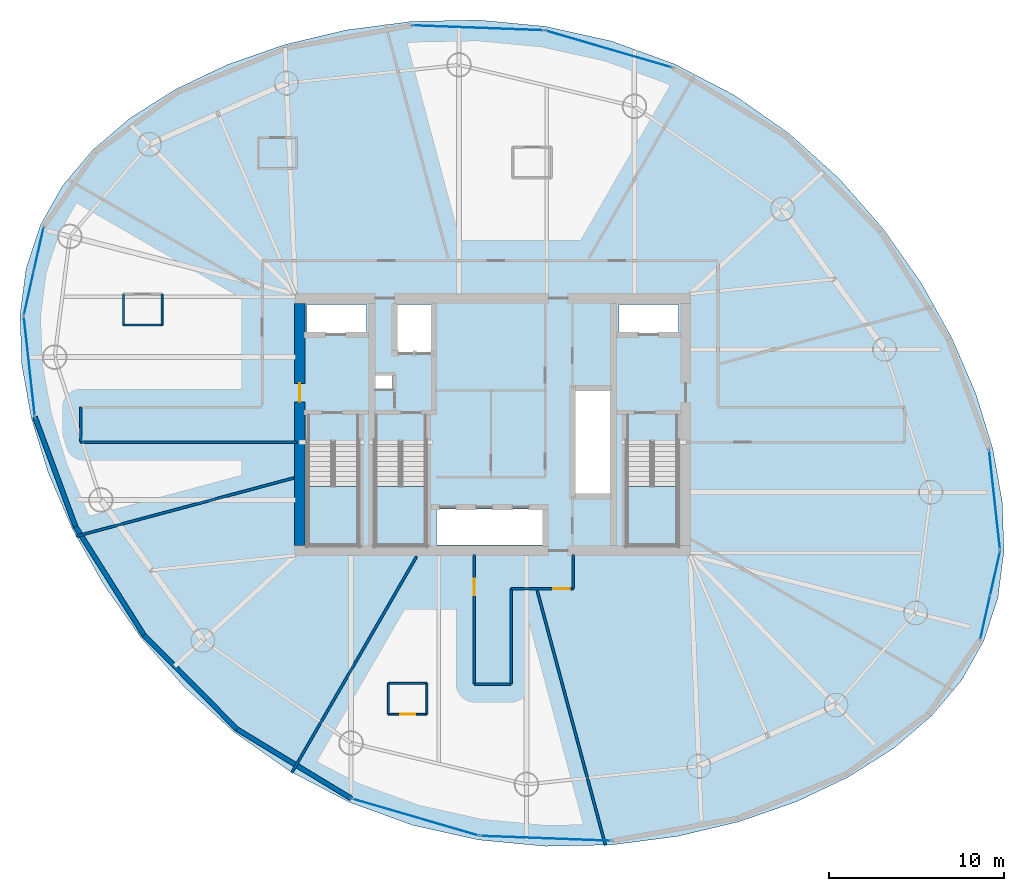
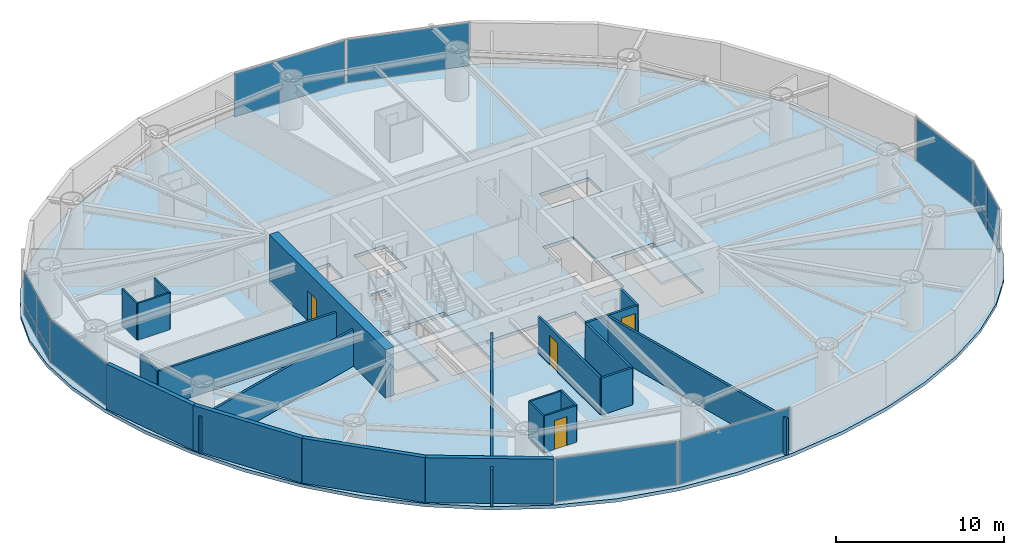
# One storey, part 16 of 22: 22 walls, 14 plates, 4 doors, 4 slabs, 4 openings, 11 elements without a shape of their own.
"""IFC4 building model written with IfcOpenShell, lengths in metres."""

from ifc_helpers import new_model, si_unit, direction, frame, frame_2d, origin, origin_2d, place, context, subcontext, project, spatial, polyline, rectangle, outline, extrude, material, layer, layer_set, type_object, element, fill, aggregate, save


model = new_model("IFC4")

# Units and contexts
model_context = context("Model", 3, precision=1e-05, world=origin(), true_north=direction((0.0, 1.0)))
body_context = subcontext(model_context, "Body", "Model", "MODEL_VIEW")
ifc_project = project(units=[si_unit("LENGTHUNIT", "METRE"), si_unit("AREAUNIT", "SQUARE_METRE"), si_unit("VOLUMEUNIT", "CUBIC_METRE"), si_unit("PLANEANGLEUNIT", "RADIAN"), si_unit("MASSUNIT", "GRAM", prefix="KILO")], contexts=[model_context])

# Site, building, storey
site_placement = place(None, origin())
site = spatial("IfcSite", under=ifc_project, at=site_placement, CompositionType="ELEMENT")
building_placement = place(site_placement, origin())
building = spatial("IfcBuilding", under=site, at=building_placement, Name="Bramvorn Convention Spire", CompositionType="ELEMENT")
storey_placement = place(building_placement, frame((0.0, 0.0, 127.300048828125)))
storey = spatial("IfcBuildingStorey", under=building, at=storey_placement, Name="L31", CompositionType="ELEMENT", Elevation=127.300048828125)

# Curtain wall, plates
ifc_material_1 = material(Name="Anodised Bronze Unitised Curtain Wall", Category="aluminium")
ifc_layer_1 = layer(ifc_material_1, 0.179931640625)
ifc_layer_set_1 = layer_set([ifc_layer_1], Name="Anodised Bronze Unitised Curtain Wall - CW-HTL-FRIT")
curtain_wall_type = type_object("IfcCurtainWallType", Name="CW-HTL-FRIT", PredefinedType="USERDEFINED", material=ifc_layer_set_1)
curtain_wall_1_placement = place(storey_placement, origin())
curtain_wall_1 = element("IfcCurtainWall", 1, at=curtain_wall_1_placement, inside=storey, type_object=curtain_wall_type, Name="L31 fritted glass curtain wall 01", ObjectType="UNITISED CURTAIN WALL", PredefinedType="USERDEFINED")
ifc_material_2 = material(Name="Laminated Low-E Glass (Triple IGU Tapered Ceramic Frit 40%)", Category="glass")
ifc_layer_2 = layer(ifc_material_2, 0.0380859375)
ifc_layer_set_2 = layer_set([ifc_layer_2], Name="Laminated Low-E Glass (Triple IGU Tapered Ceramic Frit 40%) - PNL-IGU-2")
plate_type = type_object("IfcPlateType", Name="PNL-IGU-2", PredefinedType="CURTAIN_PANEL", material=ifc_layer_set_2)
plate_1_placement = place(storey_placement, frame((66.6552734375, 17.5361328125, 0.059814453125), z_axis=(0.0, 0.0, 1.0), x_axis=(-0.219352615765, -0.975645647742, 0.0)))
plate_1 = element("IfcPlate", 2, at=plate_1_placement, type_object=plate_type, Name="CW2 panel 1.1", PredefinedType="CURTAIN_PANEL", context=body_context, shape_type="SweptSolid", body=[
    extrude(rectangle(XDim=2.4970703125, YDim=0.028076171875, at=origin_2d()), origin(), (0.0, 0.0, 1.0), 0.81005859375),
])
plate_2_placement = place(storey_placement, frame((66.6552734375, 17.5361328125, 0.929931640625), z_axis=(0.0, 0.0, 1.0), x_axis=(-0.219352615765, -0.975645647742, 0.0)))
plate_2 = element("IfcPlate", 3, at=plate_2_placement, type_object=plate_type, Name="CW2 panel 1.2", PredefinedType="CURTAIN_PANEL", context=body_context, shape_type="SweptSolid", body=[
    extrude(rectangle(XDim=2.4970703125, YDim=0.028076171875, at=origin_2d()), origin(), (0.0, 0.0, 1.0), 2.27001953125),
])
plate_3_placement = place(storey_placement, frame((66.09423828125, 15.041259765625, 0.059814453125), z_axis=(0.0, 0.0, 1.0), x_axis=(-0.219352615765, -0.975645647742, 0.0)))
plate_3 = element("IfcPlate", 4, at=plate_3_placement, type_object=plate_type, Name="CW2 panel 2.1", PredefinedType="CURTAIN_PANEL", context=body_context, shape_type="SweptSolid", body=[
    extrude(rectangle(XDim=2.4970703125, YDim=0.028076171875, at=origin_2d()), origin(), (0.0, 0.0, 1.0), 0.81005859375),
])
plate_4_placement = place(storey_placement, frame((66.09423828125, 15.041259765625, 0.929931640625), z_axis=(0.0, 0.0, 1.0), x_axis=(-0.219352615765, -0.975645647742, 0.0)))
plate_4 = element("IfcPlate", 5, at=plate_4_placement, type_object=plate_type, Name="CW2 panel 2.2", PredefinedType="CURTAIN_PANEL", context=body_context, shape_type="SweptSolid", body=[
    extrude(rectangle(XDim=2.4970703125, YDim=0.028076171875, at=origin_2d()), origin(), (0.0, 0.0, 1.0), 2.27001953125),
])
aggregate(curtain_wall_1, [plate_1, plate_2, plate_3, plate_4])

# Curtain wall, plate
curtain_wall_2_placement = place(storey_placement, origin())
curtain_wall_2 = element("IfcCurtainWall", 6, at=curtain_wall_2_placement, inside=storey, type_object=curtain_wall_type, Name="L31 fritted glass curtain wall 02", ObjectType="UNITISED CURTAIN WALL", PredefinedType="USERDEFINED")
plate_5_placement = place(storey_placement, frame((66.623046875, 21.706787109375, 0.06005859375), z_axis=(0.0, 0.0, 1.0), x_axis=(0.109605868782, -0.993975127218, 0.0)))
plate_5 = element("IfcPlate", 7, at=plate_5_placement, type_object=plate_type, Name="CW2 panel 1.1", PredefinedType="CURTAIN_PANEL", context=body_context, shape_type="SweptSolid", body=[
    extrude(rectangle(XDim=5.70263671875, YDim=0.028076171875, at=origin_2d()), origin(), (0.0, 0.0, 1.0), 3.139892578125),
])
aggregate(curtain_wall_2, [plate_5])

curtain_wall_3_placement = place(storey_placement, origin())
curtain_wall_3 = element("IfcCurtainWall", 8, at=curtain_wall_3_placement, inside=storey, type_object=curtain_wall_type, Name="L31 fritted glass curtain wall 07", ObjectType="UNITISED CURTAIN WALL", PredefinedType="USERDEFINED")
plate_6_placement = place(storey_placement, frame((44.61083984375, 47.4208984375, 0.06005859375), z_axis=(0.0, 0.0, 1.0), x_axis=(0.960041892871, -0.279856327304, 0.0)))
plate_6 = element("IfcPlate", 9, at=plate_6_placement, type_object=plate_type, Name="CW2 panel 1.1", PredefinedType="CURTAIN_PANEL", context=body_context, shape_type="SweptSolid", body=[
    extrude(rectangle(XDim=7.49755859375, YDim=0.028076171875, at=origin_2d()), origin(), (0.0, 0.0, 1.0), 3.139892578125),
])
aggregate(curtain_wall_3, [plate_6])

curtain_wall_4_placement = place(storey_placement, origin())
curtain_wall_4 = element("IfcCurtainWall", 10, at=curtain_wall_4_placement, inside=storey, type_object=curtain_wall_type, Name="L31 fritted glass curtain wall 08", ObjectType="UNITISED CURTAIN WALL", PredefinedType="USERDEFINED")
plate_7_placement = place(storey_placement, frame((37.17236328125, 48.62890625, 0.06005859375), z_axis=(0.0, 0.0, 1.0), x_axis=(0.999295864508, -0.037520330185, 0.0)))
plate_7 = element("IfcPlate", 11, at=plate_7_placement, type_object=plate_type, Name="CW2 panel 1.1", PredefinedType="CURTAIN_PANEL", context=body_context, shape_type="SweptSolid", body=[
    extrude(rectangle(XDim=7.44921875, YDim=0.028076171875, at=origin_2d()), origin(), (0.0, 0.0, 1.0), 3.139892578125),
])
aggregate(curtain_wall_4, [plate_7])

# Curtain wall, plates
curtain_wall_5_placement = place(storey_placement, origin())
curtain_wall_5 = element("IfcCurtainWall", 12, at=curtain_wall_5_placement, inside=storey, type_object=curtain_wall_type, Name="L31 fritted glass curtain wall 13", ObjectType="UNITISED CURTAIN WALL", PredefinedType="USERDEFINED")
plate_8_placement = place(storey_placement, frame((11.541748046875, 33.497314453125, 0.059814453125), z_axis=(0.0, 0.0, 1.0), x_axis=(0.219348479828, 0.975646577607, 0.0)))
plate_8 = element("IfcPlate", 13, at=plate_8_placement, type_object=plate_type, Name="CW2 panel 1.1", PredefinedType="CURTAIN_PANEL", context=body_context, shape_type="SweptSolid", body=[
    extrude(rectangle(XDim=2.497314453125, YDim=0.028076171875, at=origin_2d()), origin(), (0.0, 0.0, 1.0), 0.81005859375),
])
plate_9_placement = place(storey_placement, frame((11.541748046875, 33.497314453125, 0.929931640625), z_axis=(0.0, 0.0, 1.0), x_axis=(0.219348479828, 0.975646577607, 0.0)))
plate_9 = element("IfcPlate", 14, at=plate_9_placement, type_object=plate_type, Name="CW2 panel 1.2", PredefinedType="CURTAIN_PANEL", context=body_context, shape_type="SweptSolid", body=[
    extrude(rectangle(XDim=2.497314453125, YDim=0.028076171875, at=origin_2d()), origin(), (0.0, 0.0, 1.0), 2.27001953125),
])
plate_10_placement = place(storey_placement, frame((12.1025390625, 35.9921875, 0.059814453125), z_axis=(0.0, 0.0, 1.0), x_axis=(0.219348479828, 0.975646577607, 0.0)))
plate_10 = element("IfcPlate", 15, at=plate_10_placement, type_object=plate_type, Name="CW2 panel 2.1", PredefinedType="CURTAIN_PANEL", context=body_context, shape_type="SweptSolid", body=[
    extrude(rectangle(XDim=2.497314453125, YDim=0.028076171875, at=origin_2d()), origin(), (0.0, 0.0, 1.0), 0.81005859375),
])
plate_11_placement = place(storey_placement, frame((12.1025390625, 35.9921875, 0.929931640625), z_axis=(0.0, 0.0, 1.0), x_axis=(0.219348479828, 0.975646577607, 0.0)))
plate_11 = element("IfcPlate", 16, at=plate_11_placement, type_object=plate_type, Name="CW2 panel 2.2", PredefinedType="CURTAIN_PANEL", context=body_context, shape_type="SweptSolid", body=[
    extrude(rectangle(XDim=2.497314453125, YDim=0.028076171875, at=origin_2d()), origin(), (0.0, 0.0, 1.0), 2.27001953125),
])
aggregate(curtain_wall_5, [plate_8, plate_9, plate_10, plate_11])

# Curtain wall, plate
curtain_wall_6_placement = place(storey_placement, origin())
curtain_wall_6 = element("IfcCurtainWall", 17, at=curtain_wall_6_placement, inside=storey, type_object=curtain_wall_type, Name="L31 fritted glass curtain wall 14", ObjectType="UNITISED CURTAIN WALL", PredefinedType="USERDEFINED")
plate_12_placement = place(storey_placement, frame((11.57373046875, 29.32666015625, 0.06005859375), z_axis=(0.0, 0.0, 1.0), x_axis=(-0.109588900847, 0.99397699813, 0.0)))
plate_12 = element("IfcPlate", 18, at=plate_12_placement, type_object=plate_type, Name="CW2 panel 1.1", PredefinedType="CURTAIN_PANEL", context=body_context, shape_type="SweptSolid", body=[
    extrude(rectangle(XDim=5.70263671875, YDim=0.028076171875, at=origin_2d()), origin(), (0.0, 0.0, 1.0), 3.139892578125),
])
aggregate(curtain_wall_6, [plate_12])

curtain_wall_7_placement = place(storey_placement, origin())
curtain_wall_7 = element("IfcCurtainWall", 19, at=curtain_wall_7_placement, inside=storey, type_object=curtain_wall_type, Name="L31 fritted glass curtain wall 19", ObjectType="UNITISED CURTAIN WALL", PredefinedType="USERDEFINED")
plate_13_placement = place(storey_placement, frame((33.585693359375, 3.612548828125, 0.06005859375), z_axis=(0.0, 0.0, 1.0), x_axis=(-0.960037337476, 0.279871954029, 0.0)))
plate_13 = element("IfcPlate", 20, at=plate_13_placement, type_object=plate_type, Name="CW2 panel 1.1", PredefinedType="CURTAIN_PANEL", context=body_context, shape_type="SweptSolid", body=[
    extrude(rectangle(XDim=7.497314453125, YDim=0.028076171875, at=origin_2d()), origin(), (0.0, 0.0, 1.0), 3.139892578125),
])
aggregate(curtain_wall_7, [plate_13])

curtain_wall_8_placement = place(storey_placement, origin())
curtain_wall_8 = element("IfcCurtainWall", 21, at=curtain_wall_8_placement, inside=storey, type_object=curtain_wall_type, Name="L31 fritted glass curtain wall 20", ObjectType="UNITISED CURTAIN WALL", PredefinedType="USERDEFINED")
plate_14_placement = place(storey_placement, frame((41.024169921875, 2.404541015625, 0.06005859375), z_axis=(0.0, 0.0, 1.0), x_axis=(-0.999295864508, 0.037520330185, 0.0)))
plate_14 = element("IfcPlate", 22, at=plate_14_placement, type_object=plate_type, Name="CW2 panel 1.1", PredefinedType="CURTAIN_PANEL", context=body_context, shape_type="SweptSolid", body=[
    extrude(rectangle(XDim=7.44921875, YDim=0.028076171875, at=origin_2d()), origin(), (0.0, 0.0, 1.0), 3.139892578125),
])
aggregate(curtain_wall_8, [plate_14])

# Stair, slab
ifc_material_3 = material(Name="Concrete C40/50 Precast Stair", Category="concrete")
stair_type = type_object("IfcStairType", Name="ST-TOWER-1550", PredefinedType="HALF_TURN_STAIR", material=ifc_material_3)
stair_1_placement = place(storey_placement, origin())
stair_1 = element("IfcStair", 23, at=stair_1_placement, inside=storey, type_object=stair_type, Name="L31 Protected Exit Stair ST1", PredefinedType="HALF_TURN_STAIR")
ifc_material_4 = material(Name="Concrete C40/50 Stair Landing", Category="concrete")
ifc_layer_3 = layer(ifc_material_4, 0.219970703125)
ifc_layer_set_3 = layer_set([ifc_layer_3], Name="Concrete C40/50 Stair Landing - SLB-STAIR-LANDING")
slab_type_1 = type_object("IfcSlabType", Name="SLB-STAIR-LANDING", PredefinedType="LANDING", material=ifc_layer_set_3)
slab_1_placement = place(storey_placement, frame((0.0, 0.0, 1.550048828125)))
slab_1 = element("IfcSlab", 24, at=slab_1_placement, type_object=slab_type_1, Name="ST1 landing 1", PredefinedType="LANDING", context=body_context, shape_type="SweptSolid", body=[
    extrude(outline(polyline([(27.449951171875, 22.485107421875), (27.449951171875, 19.10009765625), (30.35009765625, 19.10009765625), (30.35009765625, 22.485107421875), (27.449951171875, 22.485107421875)])), origin(), (0.0, 0.0, 1.0), 0.199951171875),
])
aggregate(stair_1, [slab_1])

stair_2_placement = place(storey_placement, origin())
stair_2 = element("IfcStair", 25, at=stair_2_placement, inside=storey, type_object=stair_type, Name="L31 Protected Exit Stair ST2", PredefinedType="HALF_TURN_STAIR")
slab_2_placement = place(storey_placement, frame((0.0, 0.0, 1.550048828125)))
slab_2 = element("IfcSlab", 26, at=slab_2_placement, type_object=slab_type_1, Name="ST2 landing 1", PredefinedType="LANDING", context=body_context, shape_type="SweptSolid", body=[
    extrude(outline(polyline([(45.64990234375, 22.485107421875), (45.64990234375, 19.10009765625), (48.550048828125, 19.10009765625), (48.550048828125, 22.485107421875), (45.64990234375, 22.485107421875)])), origin(), (0.0, 0.0, 1.0), 0.199951171875),
])
aggregate(stair_2, [slab_2])

stair_3_placement = place(storey_placement, origin())
stair_3 = element("IfcStair", 27, at=stair_3_placement, inside=storey, type_object=stair_type, Name="L31 Protected Exit Stair ST3", PredefinedType="HALF_TURN_STAIR")
slab_3_placement = place(storey_placement, frame((0.0, 0.0, 1.550048828125)))
slab_3 = element("IfcSlab", 28, at=slab_3_placement, type_object=slab_type_1, Name="ST3 landing 1", PredefinedType="LANDING", context=body_context, shape_type="SweptSolid", body=[
    extrude(outline(polyline([(31.300048828125, 22.485107421875), (31.300048828125, 19.10009765625), (34.199951171875, 19.10009765625), (34.199951171875, 22.485107421875), (31.300048828125, 22.485107421875)])), origin(), (0.0, 0.0, 1.0), 0.199951171875),
])
aggregate(stair_3, [slab_3])

# Slab
ifc_material_5 = material(Name="Concrete C50/60", Category="concrete")
ifc_layer_4 = layer(ifc_material_5, 0.239990234375)
ifc_layer_set_4 = layer_set([ifc_layer_4], Name="Concrete C50/60 - SLB-Z2-240")
slab_type_2 = type_object("IfcSlabType", Name="SLB-Z2-240", PredefinedType="FLOOR", material=ifc_layer_set_4)
slab_4_placement = place(storey_placement, frame((0.0, 0.0, -0.239990234375)))
element("IfcSlab", 29, at=slab_4_placement, inside=storey, type_object=slab_type_2, Name="L31 tower floor slab", PredefinedType="FLOOR", context=body_context, shape_type="SweptSolid", body=[
    extrude(outline(polyline([(66.008544921875, 13.676025390625), (66.8115234375, 16.12548828125), (67.157958984375, 18.77587890625), (67.057373046875, 21.6162109375), (66.52099609375, 24.62060546875), (65.561767578125, 27.74560546875), (64.192626953125, 30.929931640625), (62.427001953125, 34.09619140625), (60.27978515625, 37.15576171875), (57.770263671875, 40.016357421875), (54.923583984375, 42.588623046875), (51.773193359375, 44.794189453125), (48.36328125, 46.572509765625), (44.748291015625, 47.88525390625), (40.993896484375, 48.7177734375), (37.174072265625, 49.0791015625), (33.36962890625, 48.99658203125), (29.6630859375, 48.512451171875), (26.135986328125, 47.67529296875), (22.86328125, 46.533447265625), (19.9111328125, 45.129150390625), (17.333740234375, 43.494873046875), (15.171630859375, 41.650390625), (13.45166015625, 39.604248046875), (12.188232421875, 37.357421875), (11.38525390625, 34.907958984375), (11.038818359375, 32.257568359375), (11.139404296875, 29.417236328125), (11.67578125, 26.4130859375), (12.635009765625, 23.287841796875), (14.004150390625, 20.103515625), (15.769775390625, 16.937255859375), (17.9169921875, 13.877685546875), (20.426513671875, 11.01708984375), (23.273193359375, 8.44482421875), (26.423583984375, 6.2392578125), (29.83349609375, 4.4609375), (33.448486328125, 3.148193359375), (37.202880859375, 2.315673828125), (41.022705078125, 1.954345703125), (44.8271484375, 2.036865234375), (48.533447265625, 2.52099609375), (52.060791015625, 3.358154296875), (55.33349609375, 4.5), (58.28564453125, 5.904296875), (60.863037109375, 7.53857421875), (63.025146484375, 9.383056640625), (64.7451171875, 11.42919921875), (66.008544921875, 13.676025390625)]), holes=[polyline([(27.449951171875, 25.050048828125), (27.449951171875, 19.10009765625), (30.35009765625, 19.10009765625), (30.35009765625, 25.050048828125), (27.449951171875, 25.050048828125)]), polyline([(45.64990234375, 25.050048828125), (45.64990234375, 19.10009765625), (48.550048828125, 19.10009765625), (48.550048828125, 25.050048828125), (45.64990234375, 25.050048828125)]), polyline([(31.300048828125, 25.050048828125), (31.300048828125, 19.10009765625), (34.199951171875, 19.10009765625), (34.199951171875, 25.050048828125), (31.300048828125, 25.050048828125)]), polyline([(27.39990234375, 31.219970703125), (30.800048828125, 31.219970703125), (30.800048828125, 32.85009765625), (27.39990234375, 32.85009765625), (27.39990234375, 31.219970703125)]), polyline([(45.199951171875, 31.219970703125), (48.60009765625, 31.219970703125), (48.60009765625, 32.85009765625), (45.199951171875, 32.85009765625), (45.199951171875, 31.219970703125)]), polyline([(32.449951171875, 30.14990234375), (34.56005859375, 30.14990234375), (34.56005859375, 32.85009765625), (32.449951171875, 32.85009765625), (32.449951171875, 30.14990234375)]), polyline([(34.800048828125, 19.14990234375), (40.97998046875, 19.14990234375), (40.97998046875, 21.199951171875), (34.800048828125, 21.199951171875), (34.800048828125, 19.14990234375)]), polyline([(42.6201171875, 22.0), (44.75, 22.0), (44.75, 28.0), (42.6201171875, 28.0), (42.6201171875, 22.0)]), polyline([(31.320068359375, 28.02001953125), (32.280029296875, 28.02001953125), (32.280029296875, 28.820068359375), (31.320068359375, 28.820068359375), (31.320068359375, 28.02001953125)])]), origin(), (0.0, 0.0, 1.0), 0.239990234375),
])

# Wall, opening, door
ifc_material_6 = material(Name="Concrete C60/70", Category="concrete")
ifc_layer_5 = layer(ifc_material_6, 0.60009765625)
ifc_layer_set_5 = layer_set([ifc_layer_5], Name="Concrete C60/70 - WL-CORE-600")
wall_type_1 = type_object("IfcWallType", Name="WL-CORE-600", PredefinedType="SHEAR", material=ifc_layer_set_5)
wall_1_placement = place(storey_placement, frame((27.0, 19.10009765625, 0.0), z_axis=(0.0, 0.0, 1.0), x_axis=(0.0, 1.0, 0.0)))
wall_1 = element("IfcWall", 30, at=wall_1_placement, inside=storey, type_object=wall_type_1, Name="L31 West RC core shear wall", PredefinedType="SHEAR", context=body_context, shape_type="SweptSolid", body=[
    extrude(rectangle(XDim=13.7998046875, YDim=0.60009765625, at=frame_2d((6.89990234375, 0.0))), origin(), (0.0, 0.0, 1.0), 3.5),
])
opening_1_placement = place(wall_1_placement, frame((8.199951171875, 0.0, 0.0)))
opening_1 = element("IfcOpeningElement", 31, at=opening_1_placement, cuts=wall_1, Name="Opening DL-105", PredefinedType="OPENING", context=body_context, shape_type="SweptSolid", body=[
    extrude(rectangle(XDim=1.050048828125, YDim=2.14990234375, at=frame_2d((0.52490234375, 1.074951171875))), frame((0.0, 0.31005859375, 0.0), z_axis=(0.0, -1.0, 0.0), x_axis=(1.0, 0.0, 0.0)), (0.0, 0.0, 1.0), 0.6201171875),
])
ifc_material_7 = material(Name="Smoke-Sealed Fire Lobby Timber-Core Door", Category="wood")
door_type_1 = type_object("IfcDoorType", Name="DR-LOBBY-1050", OperationType="NOTDEFINED", PredefinedType="DOOR", material=ifc_material_7)
door_1_placement = place(opening_1_placement, origin())
door_1 = element("IfcDoor", 32, at=door_1_placement, inside=storey, type_object=door_type_1, Name="L31 West Firefighting Lobby corridor door", OperationType="SINGLE_SWING_RIGHT", OverallHeight=2.14990234375, OverallWidth=1.050048828125, PredefinedType="DOOR", context=body_context, shape_type="SweptSolid", body=[
    extrude(rectangle(XDim=1.050048828125, YDim=2.14990234375, at=frame_2d((0.52490234375, 1.074951171875))), frame((0.0, 0.02490234375, 0.0), z_axis=(0.0, -1.0, 0.0), x_axis=(1.0, 0.0, 0.0)), (0.0, 0.0, 1.0), 0.050048828125),
])
fill(opening_1, door_1)

# Walls
ifc_material_8 = material(Name="Precast Concrete C40/50 with Bronze Terracotta Rainscreen", Category="masonry")
ifc_layer_6 = layer(ifc_material_8, 0.300048828125)
ifc_layer_set_6 = layer_set([ifc_layer_6], Name="Precast Concrete C40/50 with Bronze Terracotta Rainscreen - WL-EXT-BRONZE-300")
wall_type_2 = type_object("IfcWallType", Name="WL-EXT-BRONZE-300", PredefinedType="SOLIDWALL", material=ifc_layer_set_6)
wall_2_placement = place(storey_placement, frame((14.208984375, 20.183349609375, 0.0), z_axis=(0.0, 0.0, 1.0), x_axis=(-0.347548177942, 0.937662126786, 0.0)))
element("IfcWall", 33, at=wall_2_placement, inside=storey, type_object=wall_type_2, Name="L31 expressed bronze Gothic lancet pier wall 15", PredefinedType="SOLIDWALL", context=body_context, shape_type="SweptSolid", body=[
    extrude(rectangle(XDim=6.6650390625, YDim=0.280029296875, at=frame_2d((3.33251953125, 0.0))), origin(), (0.0, 0.0, 1.0), 3.260009765625),
])
wall_3_placement = place(storey_placement, frame((18.097412109375, 14.0146484375, 0.0), z_axis=(0.0, 0.0, 1.0), x_axis=(-0.533248317784, 0.845958764705, 0.0)))
element("IfcWall", 34, at=wall_3_placement, inside=storey, type_object=wall_type_2, Name="L31 expressed bronze Gothic lancet pier wall 16", PredefinedType="SOLIDWALL", context=body_context, shape_type="SweptSolid", body=[
    extrude(rectangle(XDim=7.2919921875, YDim=0.280029296875, at=frame_2d((3.64599609375, 0.0))), origin(), (0.0, 0.0, 1.0), 3.260009765625),
])
wall_4_placement = place(storey_placement, frame((23.4169921875, 8.6298828125, 0.0), z_axis=(0.0, 0.0, 1.0), x_axis=(-0.702787728891, 0.711399612117, 0.0)))
element("IfcWall", 35, at=wall_4_placement, inside=storey, type_object=wall_type_2, Name="L31 expressed bronze Gothic lancet pier wall 17", PredefinedType="SOLIDWALL", context=body_context, shape_type="SweptSolid", body=[
    extrude(rectangle(XDim=7.5693359375, YDim=0.280029296875, at=frame_2d((3.78466796875, 0.0))), origin(), (0.0, 0.0, 1.0), 3.260009765625),
])
wall_5_placement = place(storey_placement, frame((29.92919921875, 4.678466796875, 0.0), z_axis=(0.0, 0.0, 1.0), x_axis=(-0.854928651423, 0.518745603332, 0.0)))
element("IfcWall", 36, at=wall_5_placement, inside=storey, type_object=wall_type_2, Name="L31 expressed bronze Gothic lancet pier wall 18", PredefinedType="SOLIDWALL", context=body_context, shape_type="SweptSolid", body=[
    extrude(rectangle(XDim=7.6171875, YDim=0.280029296875, at=frame_2d((3.80859375, 0.0))), origin(), (0.0, 0.0, 1.0), 3.260009765625),
])
ifc_material_9 = material(Name="Lightweight En-Suite & Wet-Wall Partition", Category="gypsum")
ifc_layer_7 = layer(ifc_material_9, 0.110107421875)
ifc_layer_set_7 = layer_set([ifc_layer_7], Name="Lightweight En-Suite & Wet-Wall Partition - WL-PART-110")
wall_type_3 = type_object("IfcWallType", Name="WL-PART-110", PredefinedType="PARTITIONING", material=ifc_layer_set_7)
wall_6_placement = place(storey_placement, frame((16.939697265625, 31.683349609375, 0.0), z_axis=(0.0, 0.0, 1.0), x_axis=(1.0, 0.0, 0.0)))
element("IfcWall", 37, at=wall_6_placement, inside=storey, type_object=wall_type_3, Name="Hotel Suite 3104 en-suite south wall", PredefinedType="PARTITIONING", context=body_context, shape_type="SweptSolid", body=[
    extrude(rectangle(XDim=2.199951171875, YDim=0.110107421875, at=frame_2d((1.10009765625, 0.0))), origin(), (0.0, 0.0, 1.0), 2.675048828125),
])
for number, where, z_axis, x_axis, name in (
    (38, (16.939697265625, 31.683349609375, 0.0), (0.0, 0.0, 1.0), (0.0, 1.0, 0.0), "Hotel Suite 3104 en-suite west wall"),
    (39, (19.1396484375, 31.683349609375, 0.0), (0.0, 0.0, 1.0), (0.0, 1.0, 0.0), "Hotel Suite 3104 en-suite east wall"),
):
    element("IfcWall", number, at=place(storey_placement, frame(where, z_axis=z_axis, x_axis=x_axis)), inside=storey, type_object=wall_type_3, Name=name, PredefinedType="PARTITIONING", context=body_context, shape_type="SweptSolid", body=[
        extrude(rectangle(XDim=1.760009765625, YDim=0.110107421875, at=frame_2d((0.8798828125, 0.0))), origin(), (0.0, 0.0, 1.0), 2.675048828125),
    ])

# Wall, opening, door
wall_7_placement = place(storey_placement, frame((32.044189453125, 9.4833984375, 0.0), z_axis=(0.0, 0.0, 1.0), x_axis=(1.0, 0.0, 0.0)))
wall_7 = element("IfcWall", 40, at=wall_7_placement, inside=storey, type_object=wall_type_3, Name="Hotel Suite 3106 en-suite south wall", PredefinedType="PARTITIONING", context=body_context, shape_type="SweptSolid", body=[
    extrude(rectangle(XDim=2.2001953125, YDim=0.110107421875, at=frame_2d((1.10009765625, 0.0))), origin(), (0.0, 0.0, 1.0), 2.675048828125),
])
opening_2_placement = place(wall_7_placement, frame((0.679931640625, 0.0, 0.0)))
opening_2 = element("IfcOpeningElement", 41, at=opening_2_placement, cuts=wall_7, Name="Opening DI-085", PredefinedType="OPENING", context=body_context, shape_type="SweptSolid", body=[
    extrude(rectangle(XDim=0.85009765625, YDim=2.10009765625, at=frame_2d((0.425048828125, 1.050048828125))), frame((0.0, 0.06494140625, 0.0), z_axis=(0.0, -1.0, 0.0), x_axis=(1.0, 0.0, 0.0)), (0.0, 0.0, 1.0), 0.130126953125),
])
ifc_material_10 = material(Name="En-Suite & Restroom Privacy Door", Category="wood")
door_type_2 = type_object("IfcDoorType", Name="DR-INT-850", OperationType="NOTDEFINED", PredefinedType="DOOR", material=ifc_material_10)
door_2_placement = place(opening_2_placement, origin())
door_2 = element("IfcDoor", 42, at=door_2_placement, inside=storey, type_object=door_type_2, Name="Hotel Suite 3106 En-Suite Bathroom door", OperationType="SINGLE_SWING_LEFT", OverallHeight=2.10009765625, OverallWidth=0.85009765625, PredefinedType="DOOR", context=body_context, shape_type="SweptSolid", body=[
    extrude(rectangle(XDim=0.85009765625, YDim=2.10009765625, at=frame_2d((0.425048828125, 1.050048828125))), frame((0.0, 0.02490234375, 0.0), z_axis=(0.0, -1.0, 0.0), x_axis=(1.0, 0.0, 0.0)), (0.0, 0.0, 1.0), 0.050048828125),
])
fill(opening_2, door_2)

# Walls
wall_8_placement = place(storey_placement, frame((32.044189453125, 11.243408203125, 0.0), z_axis=(0.0, 0.0, 1.0), x_axis=(1.0, 0.0, 0.0)))
element("IfcWall", 43, at=wall_8_placement, inside=storey, type_object=wall_type_3, Name="Hotel Suite 3106 en-suite north wall", PredefinedType="PARTITIONING", context=body_context, shape_type="SweptSolid", body=[
    extrude(rectangle(XDim=2.2001953125, YDim=0.110107421875, at=frame_2d((1.10009765625, 0.0))), origin(), (0.0, 0.0, 1.0), 2.675048828125),
])
for number, where, z_axis, x_axis, name in (
    (44, (32.044189453125, 9.4833984375, 0.0), (0.0, 0.0, 1.0), (0.0, 1.0, 0.0), "Hotel Suite 3106 en-suite west wall"),
    (45, (34.244384765625, 9.4833984375, 0.0), (0.0, 0.0, 1.0), (0.0, 1.0, 0.0), "Hotel Suite 3106 en-suite east wall"),
):
    element("IfcWall", number, at=place(storey_placement, frame(where, z_axis=z_axis, x_axis=x_axis)), inside=storey, type_object=wall_type_3, Name=name, PredefinedType="PARTITIONING", context=body_context, shape_type="SweptSolid", body=[
        extrude(rectangle(XDim=1.760009765625, YDim=0.110107421875, at=frame_2d((0.8798828125, 0.0))), origin(), (0.0, 0.0, 1.0), 2.675048828125),
    ])
ifc_material_11 = material(Name="Acoustic Metal-Stud Tenant/Corridor Partition", Category="gypsum")
ifc_layer_8 = layer(ifc_material_11, 0.14990234375)
ifc_layer_set_8 = layer_set([ifc_layer_8], Name="Acoustic Metal-Stud Tenant/Corridor Partition - WL-PART-150")
wall_type_4 = type_object("IfcWallType", Name="WL-PART-150", PredefinedType="PARTITIONING", material=ifc_layer_set_8)
wall_9_placement = place(storey_placement, frame((14.5, 25.0, 0.0), z_axis=(0.0, 0.0, 1.0), x_axis=(1.0, 0.0, 0.0)))
element("IfcWall", 46, at=wall_9_placement, inside=storey, type_object=wall_type_4, Name="L31 West wing spine south wall", PredefinedType="PARTITIONING", context=body_context, shape_type="SweptSolid", body=[
    extrude(rectangle(XDim=12.35009765625, YDim=0.14990234375, at=frame_2d((6.175048828125, 0.0))), origin(), (0.0, 0.0, 1.0), 2.675048828125),
])
wall_10_placement = place(storey_placement, frame((14.5, 25.0, 0.0), z_axis=(0.0, 0.0, 1.0), x_axis=(0.0, 1.0, 0.0)))
element("IfcWall", 47, at=wall_10_placement, inside=storey, type_object=wall_type_4, Name="L31 West wing spine end wall", PredefinedType="PARTITIONING", context=body_context, shape_type="SweptSolid", body=[
    extrude(rectangle(XDim=2.0, YDim=0.14990234375, at=frame_2d((1.0, 0.0))), origin(), (0.0, 0.0, 1.0), 2.675048828125),
])

# Wall, opening, door
wall_11_placement = place(storey_placement, frame((36.949951171875, 11.199951171875, 0.0), z_axis=(0.0, 0.0, 1.0), x_axis=(0.0, 1.0, 0.0)))
wall_11 = element("IfcWall", 48, at=wall_11_placement, inside=storey, type_object=wall_type_4, Name="L31 South axial spine west wall", PredefinedType="PARTITIONING", context=body_context, shape_type="SweptSolid", body=[
    extrude(rectangle(XDim=7.400146484375, YDim=0.14990234375, at=frame_2d((3.7001953125, 0.0))), origin(), (0.0, 0.0, 1.0), 2.675048828125),
])
opening_3_placement = place(wall_11_placement, frame((5.074951171875, 0.0, 0.0)))
opening_3 = element("IfcOpeningElement", 49, at=opening_3_placement, cuts=wall_11, Name="Opening DH-095", PredefinedType="OPENING", context=body_context, shape_type="SweptSolid", body=[
    extrude(rectangle(XDim=0.949951171875, YDim=2.14990234375, at=frame_2d((0.47509765625, 1.074951171875))), frame((0.0, 0.0849609375, 0.0), z_axis=(0.0, -1.0, 0.0), x_axis=(1.0, 0.0, 0.0)), (0.0, 0.0, 1.0), 0.169921875),
])
ifc_material_12 = material(Name="Solid-Core Acoustic Guestroom Entry Door", Category="wood")
door_type_3 = type_object("IfcDoorType", Name="DR-HOTEL-950", OperationType="NOTDEFINED", PredefinedType="DOOR", material=ifc_material_12)
door_3_placement = place(opening_3_placement, origin())
door_3 = element("IfcDoor", 50, at=door_3_placement, inside=storey, type_object=door_type_3, Name="Hotel Suite 3106 entry door", OperationType="SINGLE_SWING_LEFT", OverallHeight=2.14990234375, OverallWidth=0.949951171875, PredefinedType="DOOR", context=body_context, shape_type="SweptSolid", body=[
    extrude(rectangle(XDim=0.949951171875, YDim=2.14990234375, at=frame_2d((0.47509765625, 1.074951171875))), frame((0.0, 0.02490234375, 0.0), z_axis=(0.0, -1.0, 0.0), x_axis=(1.0, 0.0, 0.0)), (0.0, 0.0, 1.0), 0.050048828125),
])
fill(opening_3, door_3)

# Wall
wall_12_placement = place(storey_placement, frame((39.050048828125, 11.199951171875, 0.0), z_axis=(0.0, 0.0, 1.0), x_axis=(0.0, 1.0, 0.0)))
element("IfcWall", 51, at=wall_12_placement, inside=storey, type_object=wall_type_4, Name="L31 South axial spine east wall", PredefinedType="PARTITIONING", context=body_context, shape_type="SweptSolid", body=[
    extrude(rectangle(XDim=5.449951171875, YDim=0.14990234375, at=frame_2d((2.72509765625, 0.0))), origin(), (0.0, 0.0, 1.0), 2.675048828125),
])

# Wall, opening, door
wall_13_placement = place(storey_placement, frame((39.050048828125, 16.64990234375, 0.0), z_axis=(0.0, 0.0, 1.0), x_axis=(1.0, 0.0, 0.0)))
wall_13 = element("IfcWall", 52, at=wall_13_placement, inside=storey, type_object=wall_type_4, Name="L31 South lift lobby link wall", PredefinedType="PARTITIONING", context=body_context, shape_type="SweptSolid", body=[
    extrude(rectangle(XDim=3.550048828125, YDim=0.14990234375, at=frame_2d((1.77490234375, 0.0))), origin(), (0.0, 0.0, 1.0), 2.675048828125),
])
opening_4_placement = place(wall_13_placement, frame((2.39990234375, 0.0, 0.0)))
opening_4 = element("IfcOpeningElement", 53, at=opening_4_placement, cuts=wall_13, Name="Opening DH-095", PredefinedType="OPENING", context=body_context, shape_type="SweptSolid", body=[
    extrude(rectangle(XDim=0.949951171875, YDim=2.14990234375, at=frame_2d((0.47509765625, 1.074951171875))), frame((0.0, 0.0849609375, 0.0), z_axis=(0.0, -1.0, 0.0), x_axis=(1.0, 0.0, 0.0)), (0.0, 0.0, 1.0), 0.169921875),
])
door_4_placement = place(opening_4_placement, origin())
door_4 = element("IfcDoor", 54, at=door_4_placement, inside=storey, type_object=door_type_3, Name="L31 Hospitality Salon 7 door", OperationType="SINGLE_SWING_RIGHT", OverallHeight=2.14990234375, OverallWidth=0.949951171875, PredefinedType="DOOR", context=body_context, shape_type="SweptSolid", body=[
    extrude(rectangle(XDim=0.949951171875, YDim=2.14990234375, at=frame_2d((0.47509765625, 1.074951171875))), frame((0.0, 0.02490234375, 0.0), z_axis=(0.0, -1.0, 0.0), x_axis=(1.0, 0.0, 0.0)), (0.0, 0.0, 1.0), 0.050048828125),
])
fill(opening_4, door_4)

# Walls
wall_14_placement = place(storey_placement, frame((42.60009765625, 16.64990234375, 0.0), z_axis=(0.0, 0.0, 1.0), x_axis=(0.0, 1.0, 0.0)))
element("IfcWall", 55, at=wall_14_placement, inside=storey, type_object=wall_type_4, Name="L31 South lift lobby east cheek", PredefinedType="PARTITIONING", context=body_context, shape_type="SweptSolid", body=[
    extrude(rectangle(XDim=1.9501953125, YDim=0.14990234375, at=frame_2d((0.97509765625, 0.0))), origin(), (0.0, 0.0, 1.0), 2.675048828125),
])
wall_15_placement = place(storey_placement, frame((36.949951171875, 11.199951171875, 0.0), z_axis=(0.0, 0.0, 1.0), x_axis=(1.0, 0.0, 0.0)))
element("IfcWall", 56, at=wall_15_placement, inside=storey, type_object=wall_type_4, Name="L31 South axial spine end wall", PredefinedType="PARTITIONING", context=body_context, shape_type="SweptSolid", body=[
    extrude(rectangle(XDim=2.10009765625, YDim=0.14990234375, at=frame_2d((1.050048828125, 0.0))), origin(), (0.0, 0.0, 1.0), 2.675048828125),
])
wall_16_placement = place(storey_placement, frame((26.679931640625, 22.966796875, 0.0), z_axis=(0.0, 0.0, 1.0), x_axis=(-0.965923864026, -0.258826368257, 0.0)))
element("IfcWall", 57, at=wall_16_placement, inside=storey, type_object=wall_type_4, Name="L31 Guestroom demising wall 5", PredefinedType="PARTITIONING", context=body_context, shape_type="SweptSolid", body=[
    extrude(rectangle(XDim=12.885986328125, YDim=0.14990234375, at=frame_2d((6.44287109375, 0.0))), origin(), (0.0, 0.0, 1.0), 2.675048828125),
])
wall_17_placement = place(storey_placement, frame((33.658203125, 18.47998046875, 0.0), z_axis=(0.0, 0.0, 1.0), x_axis=(-0.500002865972, -0.866023749108, 0.0)))
element("IfcWall", 58, at=wall_17_placement, inside=storey, type_object=wall_type_4, Name="L31 Guestroom demising wall 6", PredefinedType="PARTITIONING", context=body_context, shape_type="SweptSolid", body=[
    extrude(rectangle(XDim=14.244140625, YDim=0.14990234375, at=frame_2d((7.1220703125, 0.0))), origin(), (0.0, 0.0, 1.0), 2.675048828125),
])
wall_18_placement = place(storey_placement, frame((40.542724609375, 16.510009765625, 0.0), z_axis=(0.0, 0.0, 1.0), x_axis=(0.258819472716, -0.96592571171, 0.0)))
element("IfcWall", 59, at=wall_18_placement, inside=storey, type_object=wall_type_4, Name="L31 Guestroom demising wall 7", PredefinedType="PARTITIONING", context=body_context, shape_type="SweptSolid", body=[
    extrude(rectangle(XDim=15.024658203125, YDim=0.14990234375, at=frame_2d((7.51220703125, 0.0))), origin(), (0.0, 0.0, 1.0), 2.675048828125),
])

save(model, "model.ifc")
